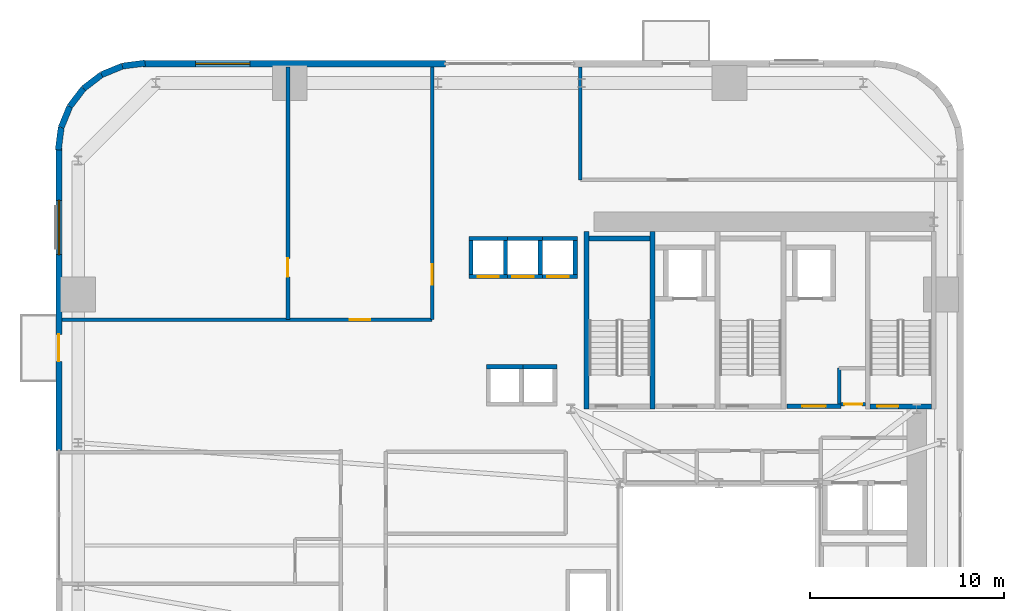
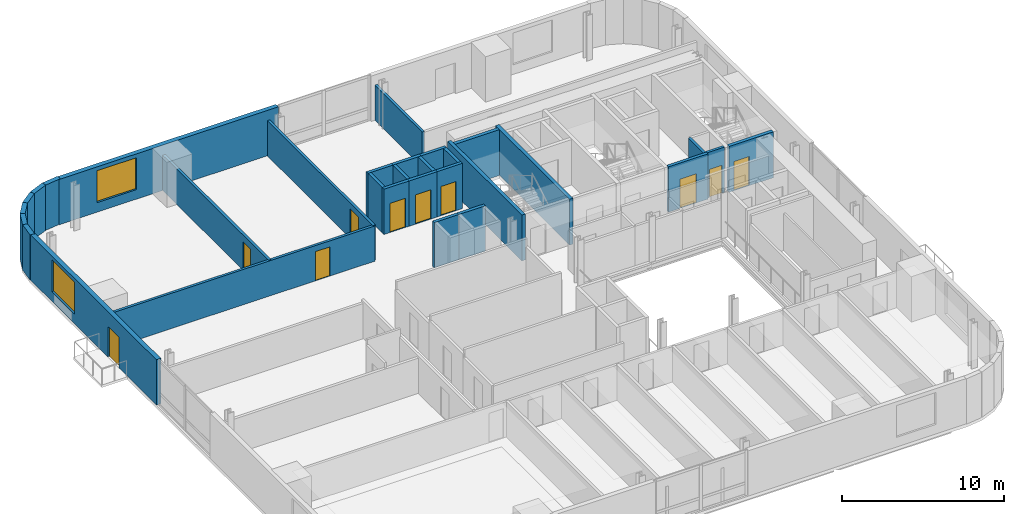
# One storey, part 8 of 13: 31 walls, 10 doors, 2 windows, 12 openings.
"""IFC4 building model written with IfcOpenShell, lengths in metres."""

from ifc_helpers import new_model, si_unit, direction, frame, frame_2d, origin, place, context, subcontext, project, spatial, rectangle, extrude, source, transform, mapped, material, layer, layer_set, type_object, element, fill, save


model = new_model("IFC4")

# Units and contexts
model_context = context("Model", 3, precision=1e-05, world=origin(), true_north=direction((0.0, 1.0)))
body_context = subcontext(model_context, "Body", "Model", "MODEL_VIEW")
ifc_project = project(units=[si_unit("LENGTHUNIT", "METRE"), si_unit("AREAUNIT", "SQUARE_METRE"), si_unit("VOLUMEUNIT", "CUBIC_METRE"), si_unit("PLANEANGLEUNIT", "RADIAN"), si_unit("MASSUNIT", "GRAM", prefix="KILO")], contexts=[model_context])

# Site, building, storey
site_placement = place(None, origin())
site = spatial("IfcSite", under=ifc_project, at=site_placement, CompositionType="ELEMENT")
building_placement = place(site_placement, origin())
building = spatial("IfcBuilding", under=site, at=building_placement, Name="Vardaveli Station Tower", CompositionType="ELEMENT")
storey_placement = place(building_placement, frame((0.0, 0.0, 56.800048828125)))
storey = spatial("IfcBuildingStorey", under=building, at=storey_placement, Name="L14", CompositionType="ELEMENT", Elevation=56.800048828125)

# Wall, opening, window
ifc_material_1 = material(Name="Precast concrete C45/55", Category="concrete")
ifc_layer_1 = layer(ifc_material_1, 0.320068359375, Name="Precast concrete C45/55")
ifc_layer_set_1 = layer_set([ifc_layer_1], Name="Precast concrete C45/55")
wall_type_1 = type_object("IfcWallType", Name="WAL-EXT-STONE-320", PredefinedType="SOLIDWALL", material=ifc_layer_set_1)
shared_shape_1 = source(origin(), body_context, "Body", "SweptSolid", [
    extrude(rectangle(XDim=15.599853515625, YDim=0.320068359375, at=frame_2d((7.7998046875, 0.0))), origin(), (0.0, 0.0, 1.0), 3.409912109375),
])
wall_1_placement = place(storey_placement, frame((22.199951171875, 48.43994140625, 0.0), z_axis=(0.0, 0.0, 1.0), x_axis=(-1.0, 0.0, 0.0)))
wall_1 = element("IfcWall", 1, at=wall_1_placement, inside=storey, type_object=wall_type_1, Name="EW-L14-N2", PredefinedType="SOLIDWALL", context=body_context, shape_type="MappedRepresentation", body=[
    mapped(shared_shape_1, transform((0.0, 0.0, 0.0), scale=1.0)),
])
shared_shape_2 = source(origin(), body_context, "Body", "SweptSolid", [
    extrude(rectangle(XDim=2.800048828125, YDim=2.39990234375, at=frame_2d((1.39990234375, 1.199951171875))), frame((0.0, 0.169921875, 0.0), z_axis=(0.0, -1.0, 0.0), x_axis=(1.0, 0.0, 0.0)), (0.0, 0.0, 1.0), 0.340087890625),
])
opening_1_placement = place(wall_1_placement, frame((10.094970703125, 0.0, 0.719970703125)))
opening_1 = element("IfcOpeningElement", 2, at=opening_1_placement, cuts=wall_1, Name="Opening W-04", PredefinedType="OPENING", context=body_context, shape_type="MappedRepresentation", body=[
    mapped(shared_shape_2, transform((0.0, 0.0, 0.0), scale=1.0)),
])
ifc_material_2 = material(Name="Low-E solar-control glass", Category="glass")
window_type = type_object("IfcWindowType", Name="WIN-SUITE-2800x2400", PartitioningType="SINGLE_PANEL", PredefinedType="WINDOW", material=ifc_material_2)
shared_shape_3 = source(origin(), body_context, "Body", "SweptSolid", [
    extrude(rectangle(XDim=2.800048828125, YDim=2.39990234375, at=frame_2d((1.39990234375, 1.199951171875))), frame((0.0, 0.030029296875, 0.0), z_axis=(0.0, -1.0, 0.0), x_axis=(1.0, 0.0, 0.0)), (0.0, 0.0, 1.0), 0.06005859375),
])
window_1_placement = place(opening_1_placement, origin())
window_1 = element("IfcWindow", 3, at=window_1_placement, inside=storey, type_object=window_type, Name="WN-L14-N2", OverallHeight=2.39990234375, OverallWidth=2.800048828125, PartitioningType="SINGLE_PANEL", PredefinedType="WINDOW", context=body_context, shape_type="MappedRepresentation", body=[
    mapped(shared_shape_3, transform((0.0, 0.0, 0.0), scale=1.0)),
])
fill(opening_1, window_1)

# Wall, openings, door, window
shared_shape_4 = source(origin(), body_context, "Body", "SweptSolid", [
    extrude(rectangle(XDim=15.60009765625, YDim=0.320068359375, at=frame_2d((7.800048828125, 0.0))), origin(), (0.0, 0.0, 1.0), 3.409912109375),
])
wall_2_placement = place(storey_placement, frame((2.260009765625, 44.10009765625, 0.0), z_axis=(0.0, 0.0, 1.0), x_axis=(0.0, -1.0, 0.0)))
wall_2 = element("IfcWall", 4, at=wall_2_placement, inside=storey, type_object=wall_type_1, Name="EW-L14-W1", PredefinedType="SOLIDWALL", context=body_context, shape_type="MappedRepresentation", body=[
    mapped(shared_shape_4, transform((0.0, 0.0, 0.0), scale=1.0)),
])
shared_shape_5 = source(origin(), body_context, "Body", "SweptSolid", [
    extrude(rectangle(XDim=1.39990234375, YDim=2.300048828125, at=frame_2d((0.699951171875, 1.14990234375))), frame((0.0, 0.169921875, 0.0), z_axis=(0.0, -1.0, 0.0), x_axis=(1.0, 0.0, 0.0)), (0.0, 0.0, 1.0), 0.340087890625),
])
opening_2_placement = place(wall_2_placement, frame((9.6103515625, 0.0, 0.0)))
opening_2 = element("IfcOpeningElement", 5, at=opening_2_placement, cuts=wall_2, Name="Opening D-09", PredefinedType="OPENING", context=body_context, shape_type="MappedRepresentation", body=[
    mapped(shared_shape_5, transform((0.0, 0.0, 0.0), scale=1.0)),
])
opening_3_placement = place(wall_2_placement, frame((2.705078125, 0.0, 0.719970703125)))
opening_3 = element("IfcOpeningElement", 6, at=opening_3_placement, cuts=wall_2, Name="Opening W-04", PredefinedType="OPENING", context=body_context, shape_type="MappedRepresentation", body=[
    mapped(shared_shape_2, transform((0.0, 0.0, 0.0), scale=1.0)),
])
ifc_material_3 = material(Name="Thermally broken aluminium glass", Category="aluminium")
door_type_1 = type_object("IfcDoorType", Name="DR-LOG-1400x2300", OperationType="DOUBLE_DOOR_SLIDING", PredefinedType="DOOR", material=ifc_material_3)
shared_shape_6 = source(origin(), body_context, "Body", "SweptSolid", [
    extrude(rectangle(XDim=1.39990234375, YDim=2.300048828125, at=frame_2d((0.699951171875, 1.14990234375))), frame((0.0, 0.02490234375, 0.0), z_axis=(0.0, -1.0, 0.0), x_axis=(1.0, 0.0, 0.0)), (0.0, 0.0, 1.0), 0.050048828125),
])
door_1_placement = place(opening_2_placement, frame((1.39990234375, 0.0, 0.0), z_axis=(0.0, 0.0, 1.0), x_axis=(-1.0, 0.0, 0.0)))
door_1 = element("IfcDoor", 7, at=door_1_placement, inside=storey, type_object=door_type_1, Name="DLG-L14-W", OperationType="DOUBLE_DOOR_SLIDING", OverallHeight=2.300048828125, OverallWidth=1.39990234375, PredefinedType="DOOR", context=body_context, shape_type="MappedRepresentation", body=[
    mapped(shared_shape_6, transform((0.0, 0.0, 0.0), scale=1.0)),
])
fill(opening_2, door_1)
window_2_placement = place(opening_3_placement, origin())
window_2 = element("IfcWindow", 8, at=window_2_placement, inside=storey, type_object=window_type, Name="WN-L14-W1", OverallHeight=2.39990234375, OverallWidth=2.800048828125, PartitioningType="SINGLE_PANEL", PredefinedType="WINDOW", context=body_context, shape_type="MappedRepresentation", body=[
    mapped(shared_shape_3, transform((0.0, 0.0, 0.0), scale=1.0)),
])
fill(opening_3, window_2)

# Walls
shared_shape_7 = source(origin(), body_context, "Body", "SweptSolid", [
    extrude(rectangle(XDim=1.1689453125, YDim=0.320068359375, at=frame_2d((0.58447265625, 0.0))), origin(), (0.0, 0.0, 1.0), 3.409912109375),
])
wall_3_placement = place(storey_placement, frame((3.53125, 47.1689453125, 0.0), z_axis=(0.0, 0.0, 1.0), x_axis=(-0.608387696831, -0.793639975269, 0.0)))
element("IfcWall", 9, at=wall_3_placement, inside=storey, type_object=wall_type_1, Name="EW-L14-CR4-4", PredefinedType="SOLIDWALL", context=body_context, shape_type="MappedRepresentation", body=[
    mapped(shared_shape_7, transform((0.0, 0.0, 0.0), scale=1.0)),
])
shared_shape_8 = source(origin(), body_context, "Body", "SweptSolid", [
    extrude(rectangle(XDim=1.168701171875, YDim=0.320068359375, at=frame_2d((0.58447265625, 0.0))), origin(), (0.0, 0.0, 1.0), 3.409912109375),
])
wall_4_placement = place(storey_placement, frame((4.458740234375, 47.8798828125, 0.0), z_axis=(0.0, 0.0, 1.0), x_axis=(-0.793663520347, -0.608356981114, 0.0)))
element("IfcWall", 10, at=wall_4_placement, inside=storey, type_object=wall_type_1, Name="EW-L14-CR4-3", PredefinedType="SOLIDWALL", context=body_context, shape_type="MappedRepresentation", body=[
    mapped(shared_shape_8, transform((0.0, 0.0, 0.0), scale=1.0)),
])
shared_shape_9 = source(origin(), body_context, "Body", "SweptSolid", [
    extrude(rectangle(XDim=1.17041015625, YDim=0.320068359375, at=frame_2d((0.585205078125, 0.0))), origin(), (0.0, 0.0, 1.0), 3.409912109375),
])
for number, where, z_axis, x_axis, name in (
    (11, (6.700439453125, 48.4755859375, 0.0), (0.0, 0.0, 1.0), (-0.991735963317, -0.128295670475, 0.0), "EW-L14-CR4-1"),
    (12, (2.37451171875, 45.16015625, 0.0), (0.0, 0.0, 1.0), (-0.128295670475, -0.991735963317, 0.0), "EW-L14-CR4-6"),
):
    element("IfcWall", number, at=place(storey_placement, frame(where, z_axis=z_axis, x_axis=x_axis)), inside=storey, type_object=wall_type_1, Name=name, PredefinedType="SOLIDWALL", context=body_context, shape_type="MappedRepresentation", body=[
        mapped(shared_shape_9, transform((0.0, 0.0, 0.0), scale=1.0)),
    ])
shared_shape_10 = source(origin(), body_context, "Body", "SweptSolid", [
    extrude(rectangle(XDim=1.169189453125, YDim=0.320068359375, at=frame_2d((0.58447265625, 0.0))), origin(), (0.0, 0.0, 1.0), 3.409912109375),
])
for number, where, z_axis, x_axis, name in (
    (13, (5.539794921875, 48.325439453125, 0.0), (0.0, 0.0, 1.0), (-0.924552646638, -0.381054331552, 0.0), "EW-L14-CR4-2"),
    (14, (2.820068359375, 46.2412109375, 0.0), (0.0, 0.0, 1.0), (-0.381054331552, -0.924552646638, 0.0), "EW-L14-CR4-5"),
):
    element("IfcWall", number, at=place(storey_placement, frame(where, z_axis=z_axis, x_axis=x_axis)), inside=storey, type_object=wall_type_1, Name=name, PredefinedType="SOLIDWALL", context=body_context, shape_type="MappedRepresentation", body=[
        mapped(shared_shape_10, transform((0.0, 0.0, 0.0), scale=1.0)),
    ])
ifc_material_4 = material(Name="Concrete C40/50", Category="concrete")
ifc_layer_2 = layer(ifc_material_4, 0.25, Name="Concrete C40/50")
ifc_layer_set_2 = layer_set([ifc_layer_2], Name="Concrete C40/50")
wall_type_2 = type_object("IfcWallType", Name="WAL-SHAFT-250", PredefinedType="SOLIDWALL", material=ifc_layer_set_2)
shared_shape_11 = source(origin(), body_context, "Body", "SweptSolid", [
    extrude(rectangle(XDim=9.150146484375, YDim=0.25, at=frame_2d((4.5751953125, 0.0))), origin(), (0.0, 0.0, 1.0), 3.449951171875),
])
for number, where, z_axis, x_axis, name in (
    (15, (29.47509765625, 30.64990234375, 0.0), (0.0, 0.0, 1.0), (0.0, 1.0, 0.0), "W-L14-ST-1W"),
    (16, (32.875, 30.64990234375, 0.0), (0.0, 0.0, 1.0), (0.0, 1.0, 0.0), "W-L14-ST-1E"),
):
    element("IfcWall", number, at=place(storey_placement, frame(where, z_axis=z_axis, x_axis=x_axis)), inside=storey, type_object=wall_type_2, Name=name, PredefinedType="SOLIDWALL", context=body_context, shape_type="MappedRepresentation", body=[
        mapped(shared_shape_11, transform((0.0, 0.0, 0.0), scale=1.0)),
    ])
shared_shape_12 = source(origin(), body_context, "Body", "SweptSolid", [
    extrude(rectangle(XDim=3.14990234375, YDim=0.25, at=frame_2d((1.574951171875, 0.0))), origin(), (0.0, 0.0, 1.0), 3.449951171875),
])
wall_5_placement = place(storey_placement, frame((29.60009765625, 39.425048828125, 0.0), z_axis=(0.0, 0.0, 1.0), x_axis=(1.0, 0.0, 0.0)))
element("IfcWall", 17, at=wall_5_placement, inside=storey, type_object=wall_type_2, Name="W-L14-ST-1N", PredefinedType="SOLIDWALL", context=body_context, shape_type="MappedRepresentation", body=[
    mapped(shared_shape_12, transform((0.0, 0.0, 0.0), scale=1.0)),
])

# Wall, opening, door
wall_6_placement = place(storey_placement, frame((44.10009765625, 30.77490234375, 0.0), z_axis=(0.0, 0.0, 1.0), x_axis=(1.0, 0.0, 0.0)))
wall_6 = element("IfcWall", 18, at=wall_6_placement, inside=storey, type_object=wall_type_2, Name="W-L14-ST-3S", PredefinedType="SOLIDWALL", context=body_context, shape_type="MappedRepresentation", body=[
    mapped(shared_shape_12, transform((0.0, 0.0, 0.0), scale=1.0)),
])
shared_shape_13 = source(origin(), body_context, "Body", "SweptSolid", [
    extrude(rectangle(XDim=1.10009765625, YDim=2.199951171875, at=frame_2d((0.550048828125, 1.10009765625))), frame((0.0, 0.135009765625, 0.0), z_axis=(0.0, -1.0, 0.0), x_axis=(1.0, 0.0, 0.0)), (0.0, 0.0, 1.0), 0.27001953125),
])
opening_4_placement = place(wall_6_placement, frame((0.35009765625, 0.0, 0.0)))
opening_4 = element("IfcOpeningElement", 19, at=opening_4_placement, cuts=wall_6, Name="Opening D-04", PredefinedType="OPENING", context=body_context, shape_type="MappedRepresentation", body=[
    mapped(shared_shape_13, transform((0.0, 0.0, 0.0), scale=1.0)),
])
ifc_material_5 = material(Name="Steel smokeproof fire doorset", Category="steel")
door_type_2 = type_object("IfcDoorType", Name="DR-ST-1100x2200", OperationType="NOTDEFINED", PredefinedType="DOOR", material=ifc_material_5)
shared_shape_14 = source(origin(), body_context, "Body", "SweptSolid", [
    extrude(rectangle(XDim=1.10009765625, YDim=2.199951171875, at=frame_2d((0.550048828125, 1.10009765625))), frame((0.0, 0.02490234375, 0.0), z_axis=(0.0, -1.0, 0.0), x_axis=(1.0, 0.0, 0.0)), (0.0, 0.0, 1.0), 0.050048828125),
])
door_2_placement = place(opening_4_placement, origin())
door_2 = element("IfcDoor", 20, at=door_2_placement, inside=storey, type_object=door_type_2, Name="DST-3-L14", OperationType="SINGLE_SWING_LEFT", OverallHeight=2.199951171875, OverallWidth=1.10009765625, PredefinedType="DOOR", context=body_context, shape_type="MappedRepresentation", body=[
    mapped(shared_shape_14, transform((0.0, 0.0, 0.0), scale=1.0)),
])
fill(opening_4, door_2)

ifc_layer_3 = layer(ifc_material_4, 0.219970703125, Name="Concrete C40/50")
ifc_layer_set_3 = layer_set([ifc_layer_3], Name="Concrete C40/50")
wall_type_3 = type_object("IfcWallType", Name="WAL-FFLOBBY-220", PredefinedType="SOLIDWALL", material=ifc_layer_set_3)
shared_shape_15 = source(origin(), body_context, "Body", "SweptSolid", [
    extrude(rectangle(XDim=2.800048828125, YDim=0.219970703125, at=frame_2d((1.39990234375, 0.0))), origin(), (0.0, 0.0, 1.0), 3.409912109375),
])
wall_7_placement = place(storey_placement, frame((39.800048828125, 30.780029296875, 0.0), z_axis=(0.0, 0.0, 1.0), x_axis=(1.0, 0.0, 0.0)))
wall_7 = element("IfcWall", 21, at=wall_7_placement, inside=storey, type_object=wall_type_3, Name="W-L14-FFL2S", PredefinedType="SOLIDWALL", context=body_context, shape_type="MappedRepresentation", body=[
    mapped(shared_shape_15, transform((0.0, 0.0, 0.0), scale=1.0)),
])
shared_shape_16 = source(origin(), body_context, "Body", "SweptSolid", [
    extrude(rectangle(XDim=1.199951171875, YDim=2.199951171875, at=frame_2d((0.60009765625, 1.10009765625))), frame((0.0, 0.1201171875, 0.0), z_axis=(0.0, -1.0, 0.0), x_axis=(1.0, 0.0, 0.0)), (0.0, 0.0, 1.0), 0.239990234375),
])
opening_5_placement = place(wall_7_placement, frame((0.800048828125, 0.0, 0.0)))
opening_5 = element("IfcOpeningElement", 22, at=opening_5_placement, cuts=wall_7, Name="Opening D-03", PredefinedType="OPENING", context=body_context, shape_type="MappedRepresentation", body=[
    mapped(shared_shape_16, transform((0.0, 0.0, 0.0), scale=1.0)),
])
door_type_3 = type_object("IfcDoorType", Name="DR-FFL-1200x2200", OperationType="NOTDEFINED", PredefinedType="DOOR", material=ifc_material_5)
shared_shape_17 = source(origin(), body_context, "Body", "SweptSolid", [
    extrude(rectangle(XDim=1.199951171875, YDim=2.199951171875, at=frame_2d((0.60009765625, 1.10009765625))), frame((0.0, 0.02490234375, 0.0), z_axis=(0.0, -1.0, 0.0), x_axis=(1.0, 0.0, 0.0)), (0.0, 0.0, 1.0), 0.050048828125),
])
door_3_placement = place(opening_5_placement, origin())
door_3 = element("IfcDoor", 23, at=door_3_placement, inside=storey, type_object=door_type_3, Name="DFFL2-L14", OperationType="SINGLE_SWING_RIGHT", OverallHeight=2.199951171875, OverallWidth=1.199951171875, PredefinedType="DOOR", context=body_context, shape_type="MappedRepresentation", body=[
    mapped(shared_shape_17, transform((0.0, 0.0, 0.0), scale=1.0)),
])
fill(opening_5, door_3)

# Walls
shared_shape_18 = source(origin(), body_context, "Body", "SweptSolid", [
    extrude(rectangle(XDim=1.75, YDim=0.219970703125, at=frame_2d((0.875, 0.0))), origin(), (0.0, 0.0, 1.0), 3.409912109375),
])
for number, where, z_axis, x_axis, name in (
    (24, (23.514892578125, 37.574951171875, 0.0), (0.0, 0.0, 1.0), (0.0, 1.0, 0.0), "SHW-HL1-01-L14-W"),
    (25, (25.284912109375, 37.574951171875, 0.0), (0.0, 0.0, 1.0), (0.0, 1.0, 0.0), "SHW-HL1-01-L14-E"),
    (26, (27.0849609375, 37.574951171875, 0.0), (0.0, 0.0, 1.0), (0.0, 1.0, 0.0), "SHW-HL1-02-L14-E"),
    (27, (28.885009765625, 37.574951171875, 0.0), (0.0, 0.0, 1.0), (0.0, 1.0, 0.0), "SHW-HL1-03-L14-E"),
):
    element("IfcWall", number, at=place(storey_placement, frame(where, z_axis=z_axis, x_axis=x_axis)), inside=storey, type_object=wall_type_3, Name=name, PredefinedType="SOLIDWALL", context=body_context, shape_type="MappedRepresentation", body=[
        mapped(shared_shape_18, transform((0.0, 0.0, 0.0), scale=1.0)),
    ])

# Wall, opening, door
shared_shape_19 = source(origin(), body_context, "Body", "SweptSolid", [
    extrude(rectangle(XDim=1.989990234375, YDim=0.219970703125, at=frame_2d((0.9951171875, 0.0))), origin(), (0.0, 0.0, 1.0), 3.409912109375),
])
wall_8_placement = place(storey_placement, frame((23.405029296875, 37.465087890625, 0.0), z_axis=(0.0, 0.0, 1.0), x_axis=(1.0, 0.0, 0.0)))
wall_8 = element("IfcWall", 28, at=wall_8_placement, inside=storey, type_object=wall_type_3, Name="SHW-HL1-01-L14-S", PredefinedType="SOLIDWALL", context=body_context, shape_type="MappedRepresentation", body=[
    mapped(shared_shape_19, transform((0.0, 0.0, 0.0), scale=1.0)),
])
shared_shape_20 = source(origin(), body_context, "Body", "SweptSolid", [
    extrude(rectangle(XDim=1.10009765625, YDim=2.199951171875, at=frame_2d((0.550048828125, 1.10009765625))), frame((0.0, 0.1201171875, 0.0), z_axis=(0.0, -1.0, 0.0), x_axis=(1.0, 0.0, 0.0)), (0.0, 0.0, 1.0), 0.239990234375),
])
opening_6_placement = place(wall_8_placement, frame((0.445068359375, 0.0, 0.0)))
opening_6 = element("IfcOpeningElement", 29, at=opening_6_placement, cuts=wall_8, Name="Opening LD-01", PredefinedType="OPENING", context=body_context, shape_type="MappedRepresentation", body=[
    mapped(shared_shape_20, transform((0.0, 0.0, 0.0), scale=1.0)),
])
ifc_material_6 = material(Name="Brushed stainless steel", Category="steel")
door_type_4 = type_object("IfcDoorType", Name="DR-LD-1100x2200", OperationType="DOUBLE_DOOR_SLIDING", PredefinedType="DOOR", material=ifc_material_6)
door_4_placement = place(opening_6_placement, origin())
door_4 = element("IfcDoor", 30, at=door_4_placement, inside=storey, type_object=door_type_4, Name="LD-HL1-01-L14", OperationType="DOUBLE_DOOR_SLIDING", OverallHeight=2.199951171875, OverallWidth=1.10009765625, PredefinedType="DOOR", context=body_context, shape_type="MappedRepresentation", body=[
    mapped(shared_shape_14, transform((0.0, 0.0, 0.0), scale=1.0)),
])
fill(opening_6, door_4)

# Wall
wall_9_placement = place(storey_placement, frame((23.405029296875, 39.43505859375, 0.0), z_axis=(0.0, 0.0, 1.0), x_axis=(1.0, 0.0, 0.0)))
element("IfcWall", 31, at=wall_9_placement, inside=storey, type_object=wall_type_3, Name="SHW-HL1-01-L14-N", PredefinedType="SOLIDWALL", context=body_context, shape_type="MappedRepresentation", body=[
    mapped(shared_shape_19, transform((0.0, 0.0, 0.0), scale=1.0)),
])

# Wall, opening, door
wall_10_placement = place(storey_placement, frame((25.205078125, 37.465087890625, 0.0), z_axis=(0.0, 0.0, 1.0), x_axis=(1.0, 0.0, 0.0)))
wall_10 = element("IfcWall", 32, at=wall_10_placement, inside=storey, type_object=wall_type_3, Name="SHW-HL1-02-L14-S", PredefinedType="SOLIDWALL", context=body_context, shape_type="MappedRepresentation", body=[
    mapped(shared_shape_19, transform((0.0, 0.0, 0.0), scale=1.0)),
])
opening_7_placement = place(wall_10_placement, frame((0.445068359375, 0.0, 0.0)))
opening_7 = element("IfcOpeningElement", 33, at=opening_7_placement, cuts=wall_10, Name="Opening LD-01", PredefinedType="OPENING", context=body_context, shape_type="MappedRepresentation", body=[
    mapped(shared_shape_20, transform((0.0, 0.0, 0.0), scale=1.0)),
])
door_5_placement = place(opening_7_placement, origin())
door_5 = element("IfcDoor", 34, at=door_5_placement, inside=storey, type_object=door_type_4, Name="LD-HL1-02-L14", OperationType="DOUBLE_DOOR_SLIDING", OverallHeight=2.199951171875, OverallWidth=1.10009765625, PredefinedType="DOOR", context=body_context, shape_type="MappedRepresentation", body=[
    mapped(shared_shape_14, transform((0.0, 0.0, 0.0), scale=1.0)),
])
fill(opening_7, door_5)

# Wall
wall_11_placement = place(storey_placement, frame((25.205078125, 39.43505859375, 0.0), z_axis=(0.0, 0.0, 1.0), x_axis=(1.0, 0.0, 0.0)))
element("IfcWall", 35, at=wall_11_placement, inside=storey, type_object=wall_type_3, Name="SHW-HL1-02-L14-N", PredefinedType="SOLIDWALL", context=body_context, shape_type="MappedRepresentation", body=[
    mapped(shared_shape_19, transform((0.0, 0.0, 0.0), scale=1.0)),
])

# Wall, opening, door
shared_shape_21 = source(origin(), body_context, "Body", "SweptSolid", [
    extrude(rectangle(XDim=1.990234375, YDim=0.219970703125, at=frame_2d((0.9951171875, 0.0))), origin(), (0.0, 0.0, 1.0), 3.409912109375),
])
wall_12_placement = place(storey_placement, frame((27.0048828125, 37.465087890625, 0.0), z_axis=(0.0, 0.0, 1.0), x_axis=(1.0, 0.0, 0.0)))
wall_12 = element("IfcWall", 36, at=wall_12_placement, inside=storey, type_object=wall_type_3, Name="SHW-HL1-03-L14-S", PredefinedType="SOLIDWALL", context=body_context, shape_type="MappedRepresentation", body=[
    mapped(shared_shape_21, transform((0.0, 0.0, 0.0), scale=1.0)),
])
opening_8_placement = place(wall_12_placement, frame((0.445068359375, 0.0, 0.0)))
opening_8 = element("IfcOpeningElement", 37, at=opening_8_placement, cuts=wall_12, Name="Opening LD-01", PredefinedType="OPENING", context=body_context, shape_type="MappedRepresentation", body=[
    mapped(shared_shape_20, transform((0.0, 0.0, 0.0), scale=1.0)),
])
door_6_placement = place(opening_8_placement, origin())
door_6 = element("IfcDoor", 38, at=door_6_placement, inside=storey, type_object=door_type_4, Name="LD-HL1-03-L14", OperationType="DOUBLE_DOOR_SLIDING", OverallHeight=2.199951171875, OverallWidth=1.10009765625, PredefinedType="DOOR", context=body_context, shape_type="MappedRepresentation", body=[
    mapped(shared_shape_14, transform((0.0, 0.0, 0.0), scale=1.0)),
])
fill(opening_8, door_6)

# Walls
wall_13_placement = place(storey_placement, frame((27.0048828125, 39.43505859375, 0.0), z_axis=(0.0, 0.0, 1.0), x_axis=(1.0, 0.0, 0.0)))
element("IfcWall", 39, at=wall_13_placement, inside=storey, type_object=wall_type_3, Name="SHW-HL1-03-L14-N", PredefinedType="SOLIDWALL", context=body_context, shape_type="MappedRepresentation", body=[
    mapped(shared_shape_21, transform((0.0, 0.0, 0.0), scale=1.0)),
])
shared_shape_22 = source(origin(), body_context, "Body", "SweptSolid", [
    extrude(rectangle(XDim=1.89013671875, YDim=0.219970703125, at=frame_2d((0.945068359375, 0.0))), origin(), (0.0, 0.0, 1.0), 3.409912109375),
])
for number, where, z_axis, x_axis, name in (
    (40, (24.304931640625, 32.81005859375, 0.0), (0.0, 0.0, 1.0), (1.0, 0.0, 0.0), "SHW-SHU-01-L14-N"),
    (41, (26.054931640625, 32.81005859375, 0.0), (0.0, 0.0, 1.0), (1.0, 0.0, 0.0), "SHW-SHU-02-L14-N"),
):
    element("IfcWall", number, at=place(storey_placement, frame(where, z_axis=z_axis, x_axis=x_axis)), inside=storey, type_object=wall_type_3, Name=name, PredefinedType="SOLIDWALL", context=body_context, shape_type="MappedRepresentation", body=[
        mapped(shared_shape_22, transform((0.0, 0.0, 0.0), scale=1.0)),
    ])

# Wall, opening, door
ifc_material_7 = material(Name="Fire-rated gypsum stud partition")
ifc_layer_4 = layer(ifc_material_7, 0.179931640625, Name="Fire-rated gypsum stud partition")
ifc_layer_set_4 = layer_set([ifc_layer_4], Name="Fire-rated gypsum stud partition")
wall_type_4 = type_object("IfcWallType", Name="WAL-CORR-180", PredefinedType="PARTITIONING", material=ifc_layer_set_4)
shared_shape_23 = source(origin(), body_context, "Body", "SweptSolid", [
    extrude(rectangle(XDim=19.077880859375, YDim=0.179931640625, at=frame_2d((9.5390625, 0.0))), origin(), (0.0, 0.0, 1.0), 2.65185546875),
])
wall_14_placement = place(storey_placement, frame((2.422119140625, 35.25, 0.0), z_axis=(0.0, 0.0, 1.0), x_axis=(1.0, 0.0, 0.0)))
wall_14 = element("IfcWall", 42, at=wall_14_placement, inside=storey, type_object=wall_type_4, Name="W-L14-CNWS", PredefinedType="PARTITIONING", context=body_context, shape_type="MappedRepresentation", body=[
    mapped(shared_shape_23, transform((0.0, 0.0, 0.0), scale=1.0)),
])
shared_shape_24 = source(origin(), body_context, "Body", "SweptSolid", [
    extrude(rectangle(XDim=1.050048828125, YDim=2.199951171875, at=frame_2d((0.52490234375, 1.10009765625))), frame((0.0, 0.10009765625, 0.0), z_axis=(0.0, -1.0, 0.0), x_axis=(1.0, 0.0, 0.0)), (0.0, 0.0, 1.0), 0.199951171875),
])
opening_9_placement = place(wall_14_placement, frame((14.84326171875, 0.0, 0.0)))
opening_9 = element("IfcOpeningElement", 43, at=opening_9_placement, cuts=wall_14, Name="Opening D-05", PredefinedType="OPENING", context=body_context, shape_type="MappedRepresentation", body=[
    mapped(shared_shape_24, transform((0.0, 0.0, 0.0), scale=1.0)),
])
ifc_material_8 = material(Name="Walnut veneer acoustic fire door")
door_type_5 = type_object("IfcDoorType", Name="DR-SUITE-1050x2200", OperationType="NOTDEFINED", PredefinedType="DOOR", material=ifc_material_8)
shared_shape_25 = source(origin(), body_context, "Body", "SweptSolid", [
    extrude(rectangle(XDim=1.050048828125, YDim=2.199951171875, at=frame_2d((0.52490234375, 1.10009765625))), frame((0.0, 0.02490234375, 0.0), z_axis=(0.0, -1.0, 0.0), x_axis=(1.0, 0.0, 0.0)), (0.0, 0.0, 1.0), 0.050048828125),
])
door_7_placement = place(opening_9_placement, origin())
door_7 = element("IfcDoor", 44, at=door_7_placement, inside=storey, type_object=door_type_5, Name="D-L14-GNW2", OperationType="SINGLE_SWING_RIGHT", OverallHeight=2.199951171875, OverallWidth=1.050048828125, PredefinedType="DOOR", context=body_context, shape_type="MappedRepresentation", body=[
    mapped(shared_shape_25, transform((0.0, 0.0, 0.0), scale=1.0)),
])
fill(opening_9, door_7)

shared_shape_26 = source(origin(), body_context, "Body", "SweptSolid", [
    extrude(rectangle(XDim=1.247802734375, YDim=0.179931640625, at=frame_2d((0.6240234375, 0.0))), origin(), (0.0, 0.0, 1.0), 3.409912109375),
])
wall_15_placement = place(storey_placement, frame((42.60009765625, 30.8798828125, 0.0), z_axis=(0.0, 0.0, 1.0), x_axis=(1.0, 0.0, 0.0)))
wall_15 = element("IfcWall", 45, at=wall_15_placement, inside=storey, type_object=wall_type_4, Name="W-L14-CBS2A-S", PredefinedType="PARTITIONING", context=body_context, shape_type="MappedRepresentation", body=[
    mapped(shared_shape_26, transform((0.0, 0.0, 0.0), scale=1.0)),
])
shared_shape_27 = source(origin(), body_context, "Body", "SweptSolid", [
    extrude(rectangle(XDim=0.919921875, YDim=2.10009765625, at=frame_2d((0.4599609375, 1.050048828125))), frame((0.0, 0.10009765625, 0.0), z_axis=(0.0, -1.0, 0.0), x_axis=(1.0, 0.0, 0.0)), (0.0, 0.0, 1.0), 0.199951171875),
])
opening_10_placement = place(wall_15_placement, frame((0.1640625, 0.0, 0.0)))
opening_10 = element("IfcOpeningElement", 46, at=opening_10_placement, cuts=wall_15, Name="Opening D-07", PredefinedType="OPENING", context=body_context, shape_type="MappedRepresentation", body=[
    mapped(shared_shape_27, transform((0.0, 0.0, 0.0), scale=1.0)),
])
ifc_material_9 = material(Name="Moisture-resistant hardwood door", Category="wood")
door_type_6 = type_object("IfcDoorType", Name="DR-WC-920x2100", OperationType="NOTDEFINED", PredefinedType="DOOR", material=ifc_material_9)
shared_shape_28 = source(origin(), body_context, "Body", "SweptSolid", [
    extrude(rectangle(XDim=0.919921875, YDim=2.10009765625, at=frame_2d((0.4599609375, 1.050048828125))), frame((0.0, 0.02490234375, 0.0), z_axis=(0.0, -1.0, 0.0), x_axis=(1.0, 0.0, 0.0)), (0.0, 0.0, 1.0), 0.050048828125),
])
door_8_placement = place(opening_10_placement, origin())
door_8 = element("IfcDoor", 47, at=door_8_placement, inside=storey, type_object=door_type_6, Name="D-L14-CBS1", OperationType="SINGLE_SWING_LEFT", OverallHeight=2.10009765625, OverallWidth=0.919921875, PredefinedType="DOOR", context=body_context, shape_type="MappedRepresentation", body=[
    mapped(shared_shape_28, transform((0.0, 0.0, 0.0), scale=1.0)),
])
fill(opening_10, door_8)

# Wall
shared_shape_29 = source(origin(), body_context, "Body", "SweptSolid", [
    extrude(rectangle(XDim=5.828125, YDim=0.179931640625, at=frame_2d((2.9140625, 0.0))), origin(), (0.0, 0.0, 1.0), 2.65185546875),
])
wall_16_placement = place(storey_placement, frame((29.14990234375, 42.449951171875, 0.0), z_axis=(0.0, 0.0, 1.0), x_axis=(0.0, 1.0, 0.0)))
element("IfcWall", 48, at=wall_16_placement, inside=storey, type_object=wall_type_4, Name="W-L14-NPW", PredefinedType="PARTITIONING", context=body_context, shape_type="MappedRepresentation", body=[
    mapped(shared_shape_29, transform((0.0, 0.0, 0.0), scale=1.0)),
])

# Wall, opening, door
ifc_material_10 = material(Name="Acoustic twin-stud gypsum partition")
ifc_layer_5 = layer(ifc_material_10, 0.199951171875, Name="Acoustic twin-stud gypsum partition")
ifc_layer_set_5 = layer_set([ifc_layer_5], Name="Acoustic twin-stud gypsum partition")
wall_type_5 = type_object("IfcWallType", Name="WAL-PARTY-200", PredefinedType="PARTITIONING", material=ifc_layer_set_5)
shared_shape_30 = source(origin(), body_context, "Body", "SweptSolid", [
    extrude(rectangle(XDim=13.028076171875, YDim=0.199951171875, at=frame_2d((6.51416015625, 0.0))), origin(), (0.0, 0.0, 1.0), 2.65185546875),
])
wall_17_placement = place(storey_placement, frame((14.070068359375, 35.25, 0.0), z_axis=(0.0, 0.0, 1.0), x_axis=(0.0, 1.0, 0.0)))
wall_17 = element("IfcWall", 49, at=wall_17_placement, inside=storey, type_object=wall_type_5, Name="W-L14-PNW1", PredefinedType="PARTITIONING", context=body_context, shape_type="MappedRepresentation", body=[
    mapped(shared_shape_30, transform((0.0, 0.0, 0.0), scale=1.0)),
])
shared_shape_31 = source(origin(), body_context, "Body", "SweptSolid", [
    extrude(rectangle(XDim=0.949951171875, YDim=2.14990234375, at=frame_2d((0.47509765625, 1.074951171875))), frame((0.0, 0.10986328125, 0.0), z_axis=(0.0, -1.0, 0.0), x_axis=(1.0, 0.0, 0.0)), (0.0, 0.0, 1.0), 0.219970703125),
])
opening_11_placement = place(wall_17_placement, frame((2.199951171875, 0.0, 0.0)))
opening_11 = element("IfcOpeningElement", 50, at=opening_11_placement, cuts=wall_17, Name="Opening D-11", PredefinedType="OPENING", context=body_context, shape_type="MappedRepresentation", body=[
    mapped(shared_shape_31, transform((0.0, 0.0, 0.0), scale=1.0)),
])
ifc_material_11 = material(Name="Oak veneer internal suite door")
door_type_7 = type_object("IfcDoorType", Name="DR-INT-950x2150", OperationType="NOTDEFINED", PredefinedType="DOOR", material=ifc_material_11)
shared_shape_32 = source(origin(), body_context, "Body", "SweptSolid", [
    extrude(rectangle(XDim=0.949951171875, YDim=2.14990234375, at=frame_2d((0.47509765625, 1.074951171875))), frame((0.0, 0.02490234375, 0.0), z_axis=(0.0, -1.0, 0.0), x_axis=(1.0, 0.0, 0.0)), (0.0, 0.0, 1.0), 0.050048828125),
])
door_9_placement = place(opening_11_placement, origin())
door_9 = element("IfcDoor", 51, at=door_9_placement, inside=storey, type_object=door_type_7, Name="D-L14-GNW1", OperationType="SINGLE_SWING_LEFT", OverallHeight=2.14990234375, OverallWidth=0.949951171875, PredefinedType="DOOR", context=body_context, shape_type="MappedRepresentation", body=[
    mapped(shared_shape_32, transform((0.0, 0.0, 0.0), scale=1.0)),
])
fill(opening_11, door_9)

shared_shape_33 = source(origin(), body_context, "Body", "SweptSolid", [
    extrude(rectangle(XDim=13.028076171875, YDim=0.179931640625, at=frame_2d((6.51416015625, 0.0))), origin(), (0.0, 0.0, 1.0), 2.65185546875),
])
wall_18_placement = place(storey_placement, frame((21.5, 35.25, 0.0), z_axis=(0.0, 0.0, 1.0), x_axis=(0.0, 1.0, 0.0)))
wall_18 = element("IfcWall", 52, at=wall_18_placement, inside=storey, type_object=wall_type_4, Name="W-L14-CNWE", PredefinedType="PARTITIONING", context=body_context, shape_type="MappedRepresentation", body=[
    mapped(shared_shape_33, transform((0.0, 0.0, 0.0), scale=1.0)),
])
opening_12_placement = place(wall_18_placement, frame((1.800048828125, 0.0, 0.0)))
opening_12 = element("IfcOpeningElement", 53, at=opening_12_placement, cuts=wall_18, Name="Opening D-05", PredefinedType="OPENING", context=body_context, shape_type="MappedRepresentation", body=[
    mapped(shared_shape_24, transform((0.0, 0.0, 0.0), scale=1.0)),
])
door_10_placement = place(opening_12_placement, origin())
door_10 = element("IfcDoor", 54, at=door_10_placement, inside=storey, type_object=door_type_5, Name="D-L14-GNWE", OperationType="SINGLE_SWING_RIGHT", OverallHeight=2.199951171875, OverallWidth=1.050048828125, PredefinedType="DOOR", context=body_context, shape_type="MappedRepresentation", body=[
    mapped(shared_shape_25, transform((0.0, 0.0, 0.0), scale=1.0)),
])
fill(opening_12, door_10)

# Wall
shared_shape_34 = source(origin(), body_context, "Body", "SweptSolid", [
    extrude(rectangle(XDim=1.85791015625, YDim=0.179931640625, at=frame_2d((0.928955078125, 0.0))), origin(), (0.0, 0.0, 1.0), 3.409912109375),
])
wall_19_placement = place(storey_placement, frame((42.5, 30.89208984375, 0.0), z_axis=(0.0, 0.0, 1.0), x_axis=(0.0, 1.0, 0.0)))
element("IfcWall", 55, at=wall_19_placement, inside=storey, type_object=wall_type_4, Name="W-L14-CBS2A-W", PredefinedType="PARTITIONING", context=body_context, shape_type="MappedRepresentation", body=[
    mapped(shared_shape_34, transform((0.0, 0.0, 0.0), scale=1.0)),
])

save(model, "model.ifc")
